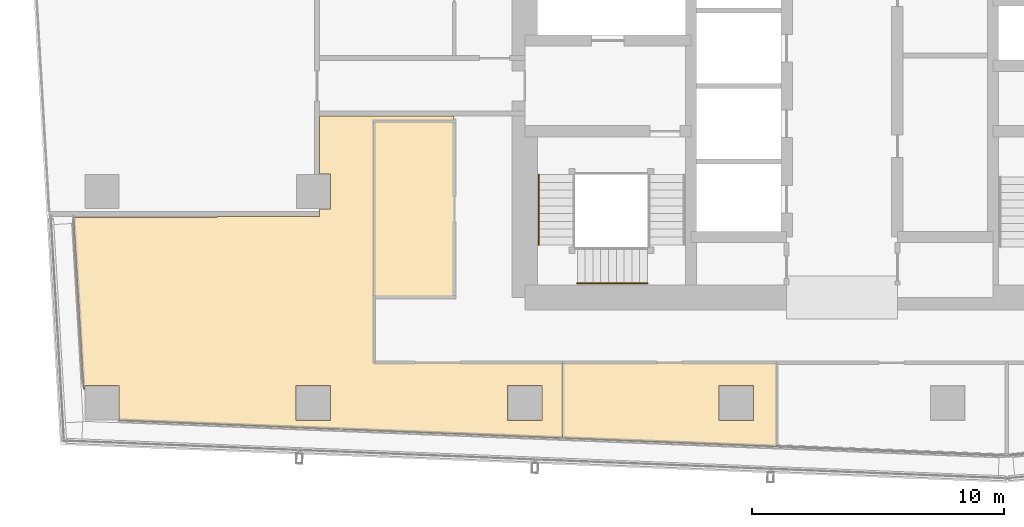
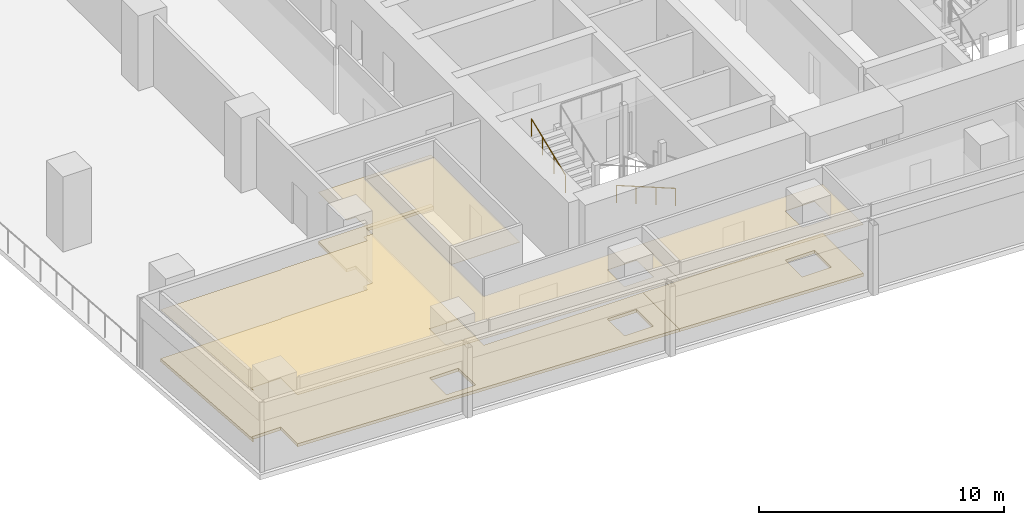
# One storey, part 28 of 35: 5 coverings, 2 railings.
"""IFC4 building model written with IfcOpenShell, lengths in metres."""

import ifcopenshell
import ifcopenshell.guid

model = None  # the IFC model being written
_history = None  # IfcOwnerHistory: only IFC2X3 demands one
_inside = {}  # id of a spatial element -> (the spatial element, [elements in it])
_under = {}  # id of a project, library or spatial element -> (it, [spatial elements below it])
_declared = {}  # id of a project -> (the project, [libraries it declares])
_typed = {}  # id of a type object -> (the type object, [elements of that type])
_made_of = {}  # id of a material, layer set ... -> (it, [elements and type objects made of it])


def new_model(schema):
    """Start an empty IFC model of exactly this schema.

    Asked for "IFC4X3", IfcOpenShell would pick the latest addendum, in which some entities
    have other attributes; the version numbers below select the first issue.
    IFC2X3 requires an IfcOwnerHistory on every rooted entity: one is made here for all.
    """
    global model, _history
    if schema == "IFC4X3":
        model = ifcopenshell.file(schema_version=(4, 3, 0, 0))
    else:
        model = ifcopenshell.file(schema=schema)
    _inside.clear()
    _under.clear()
    _declared.clear()
    _typed.clear()
    _made_of.clear()
    _history = None
    if model.schema == "IFC2X3":
        org = make("IfcOrganization", Name="unknown")
        user = make(
            "IfcPersonAndOrganization",
            ThePerson=make("IfcPerson", FamilyName="unknown"),
            TheOrganization=org,
        )
        app = make(
            "IfcApplication",
            ApplicationDeveloper=org,
            Version="unknown",
            ApplicationFullName="unknown",
            ApplicationIdentifier="unknown",
        )
        _history = make(
            "IfcOwnerHistory",
            OwningUser=user,
            OwningApplication=app,
            ChangeAction="ADDED",
            CreationDate=0,
        )
    return model


def make(cls, **values):
    """One entity of the class cls with the attributes given. An attribute that is None is left unset."""
    return model.create_entity(
        cls, **{name: value for name, value in values.items() if value is not None}
    )


def rooted(cls, **values):
    """An entity with a GlobalId (a new one), such as an element, a storey or a relation."""
    return make(cls, GlobalId=ifcopenshell.guid.new(), OwnerHistory=_history, **values)


def si_unit(unit_type, name, prefix=None):
    """IfcSIUnit, for example si_unit("LENGTHUNIT", "METRE", prefix="MILLI")."""
    return make("IfcSIUnit", UnitType=unit_type, Prefix=prefix, Name=name)


def assignment(units):
    """IfcUnitAssignment: the units of a project."""
    return None if units is None else make("IfcUnitAssignment", Units=units)


def point(xyz):
    """IfcCartesianPoint."""
    return None if xyz is None else make("IfcCartesianPoint", Coordinates=xyz)


def direction(xyz):
    """IfcDirection."""
    return None if xyz is None else make("IfcDirection", DirectionRatios=xyz)


def frame(location, z_axis=None, x_axis=None):
    """IfcAxis2Placement3D, a coordinate frame: its origin and axes. An axis left out is left unset."""
    return make(
        "IfcAxis2Placement3D",
        Location=point(location),
        Axis=direction(z_axis),
        RefDirection=direction(x_axis),
    )


def frame_2d(location, x_axis=None):
    """IfcAxis2Placement2D, a coordinate frame in the plane: its origin and x axis."""
    return make(
        "IfcAxis2Placement2D", Location=point(location), RefDirection=direction(x_axis)
    )


def origin():
    """The frame at (0, 0, 0) with its axes left unset."""
    return frame((0.0, 0.0, 0.0))


def origin_2d():
    """The frame at (0, 0) in the plane with its x axis left unset."""
    return frame_2d((0.0, 0.0))


def place(relative_to, where):
    """IfcLocalPlacement: puts the frame where relative to a parent placement (None: the world)."""
    return make(
        "IfcLocalPlacement", PlacementRelTo=relative_to, RelativePlacement=where
    )


def context(
    kind, dimensions, precision=None, world=None, true_north=None, identifier=None
):
    """IfcGeometricRepresentationContext, for example the 3D "Model" context."""
    return make(
        "IfcGeometricRepresentationContext",
        ContextIdentifier=identifier,
        ContextType=kind,
        CoordinateSpaceDimension=dimensions,
        Precision=precision,
        WorldCoordinateSystem=world,
        TrueNorth=true_north,
    )


def subcontext(parent, identifier, kind, view, scale=None):
    """IfcGeometricRepresentationSubContext, for example "Body" below "Model"."""
    return make(
        "IfcGeometricRepresentationSubContext",
        ContextIdentifier=identifier,
        ContextType=kind,
        ParentContext=parent,
        TargetScale=scale,
        TargetView=view,
    )


def project(units=None, contexts=None):
    """IfcProject with its units and contexts."""
    return rooted(
        "IfcProject",
        Name="project",
        RepresentationContexts=contexts,
        UnitsInContext=assignment(units),
    )


def spatial(cls, under=None, at=None, **own):
    """A site, building, storey or space (cls), placed at a placement, below another one or the project."""
    s = rooted(cls, ObjectPlacement=at, **own)
    if under is not None:
        _under.setdefault(under.id(), (under, []))[1].append(s)
    return s


def polyline(points):
    """IfcPolyline through the points."""
    return make("IfcPolyline", Points=[point(p) for p in points])


def profile(cls, at=None, kind="AREA", **sizes):
    """A parametric profile (cls). Its sizes go by their IFC names, for example OverallWidth=200.0."""
    return make(cls, ProfileType=kind, Position=at, **sizes)


def circle(**sizes):
    """IfcCircleProfileDef."""
    return profile("IfcCircleProfileDef", **sizes)


def outline(outer, holes=None, kind="AREA"):
    """IfcArbitraryClosedProfileDef: a profile drawn as a closed curve; with holes, ...WithVoids."""
    if holes is None:
        return make("IfcArbitraryClosedProfileDef", ProfileType=kind, OuterCurve=outer)
    return make(
        "IfcArbitraryProfileDefWithVoids",
        ProfileType=kind,
        OuterCurve=outer,
        InnerCurves=holes,
    )


def extrude(swept, where, along, depth):
    """IfcExtrudedAreaSolid: the profile swept, set in the frame where, extruded along a direction by depth."""
    return make(
        "IfcExtrudedAreaSolid",
        SweptArea=swept,
        Position=where,
        ExtrudedDirection=direction(along),
        Depth=depth,
    )


def shape(context_of_items, identifier, shape_type, items):
    """IfcShapeRepresentation: the items that make up one representation, for example the "Body"."""
    return make(
        "IfcShapeRepresentation",
        ContextOfItems=context_of_items,
        RepresentationIdentifier=identifier,
        RepresentationType=shape_type,
        Items=items,
    )


def material(Name=None, Category=None):
    """IfcMaterial."""
    return make("IfcMaterial", Name=Name, Category=Category)


def layer(
    of_material, thickness, ventilated=None, Name=None, Category=None, Priority=None
):
    """IfcMaterialLayer: one layer of a wall or slab, of a material (None: an air gap)."""
    return make(
        "IfcMaterialLayer",
        Material=of_material,
        LayerThickness=thickness,
        IsVentilated=ventilated,
        Name=Name,
        Category=Category,
        Priority=Priority,
    )


def layer_set(layers, Name=None):
    """IfcMaterialLayerSet."""
    return make("IfcMaterialLayerSet", MaterialLayers=layers, LayerSetName=Name)


def made_of(thing, what):
    """Note that an element or type object is made of a material, layer set ...; save() writes the relation."""
    if what is not None:
        _made_of.setdefault(what.id(), (what, []))[1].append(thing)
    return thing


def type_object(cls, material=None, **own):
    """A type object (cls), such as IfcWallType, which elements share."""
    return made_of(rooted(cls, **own), material)


def element(
    cls,
    number,
    at=None,
    inside=None,
    cuts=None,
    type_object=None,
    material=None,
    context=None,
    identifier="Body",
    shape_type=None,
    held_by="IfcProductDefinitionShape",
    body=None,
    shapes=None,
    **own,
):
    """One element of the class cls, such as IfcWall. Its Tag is "e" and its number.

    at: its placement. inside: the storey or other place that contains it. cuts: it is an
    opening in that element (IfcRelVoidsElement). A single representation is given by context,
    identifier, shape_type and body (its items); several are given by shapes. held_by: the class
    of the entity that holds the representations. save() writes the other relations.
    """
    e = rooted(cls, Tag="e%d" % number, ObjectPlacement=at, **own)
    if body is not None:
        shapes = [shape(context, identifier, shape_type, body)]
    if shapes is not None:
        e.Representation = make(held_by, Representations=shapes)
    if inside is not None:
        _inside.setdefault(inside.id(), (inside, []))[1].append(e)
    if cuts is not None:
        rooted(
            "IfcRelVoidsElement", RelatingBuildingElement=cuts, RelatedOpeningElement=e
        )
    if type_object is not None:
        _typed.setdefault(type_object.id(), (type_object, []))[1].append(e)
    return made_of(e, material)


def aggregate(whole, parts):
    """IfcRelAggregates: a whole, such as a stair, and the parts it consists of."""
    return rooted("IfcRelAggregates", RelatingObject=whole, RelatedObjects=parts)


def save(model, path):
    """Write the relations noted so far, then the file.

    IfcRelAggregates (storeys below a building ...), IfcRelContainedInSpatialStructure (elements
    in a storey), IfcRelDefinesByType, IfcRelAssociatesMaterial and IfcRelDeclares: one each for
    every whole, place, type object, material and project.
    """
    for whole, parts in _under.values():
        aggregate(whole, parts)
    for where, things in _inside.values():
        rooted(
            "IfcRelContainedInSpatialStructure",
            RelatedElements=things,
            RelatingStructure=where,
        )
    for kind, things in _typed.values():
        rooted("IfcRelDefinesByType", RelatedObjects=things, RelatingType=kind)
    for what, things in _made_of.values():
        rooted("IfcRelAssociatesMaterial", RelatedObjects=things, RelatingMaterial=what)
    for by, libraries in _declared.values():
        rooted("IfcRelDeclares", RelatingContext=by, RelatedDefinitions=libraries)
    model.write(path)


model = new_model("IFC4")

# Units and contexts
model_context = context("Model", 3, precision=1e-05, world=origin(), true_north=direction((0.0, 1.0)))
body_context = subcontext(model_context, "Body", "Model", "MODEL_VIEW")
ifc_project = project(units=[si_unit("LENGTHUNIT", "METRE"), si_unit("AREAUNIT", "SQUARE_METRE"), si_unit("VOLUMEUNIT", "CUBIC_METRE"), si_unit("PLANEANGLEUNIT", "RADIAN"), si_unit("MASSUNIT", "GRAM", prefix="KILO")], contexts=[model_context])

# Site, building, storey
site_placement = place(None, origin())
site = spatial("IfcSite", under=ifc_project, at=site_placement, CompositionType="ELEMENT")
building_placement = place(site_placement, origin())
building = spatial("IfcBuilding", under=site, at=building_placement, Name="Rekha Terrace Tower", CompositionType="ELEMENT")
storey_placement = place(building_placement, frame((0.0, 0.0, 191.449951171875)))
storey = spatial("IfcBuildingStorey", under=building, at=storey_placement, Name="L48", CompositionType="ELEMENT", Elevation=191.449951171875)

# Coverings
ifc_material_1 = material(Name="Mineral fibre tile in exposed grid", Category="finish")
ifc_layer_1 = layer(ifc_material_1, 0.02001953125)
ifc_layer_set_1 = layer_set([ifc_layer_1], Name="Mineral fibre tile in exposed grid")
covering_type_1 = type_object("IfcCoveringType", Name="CL1 600x1200 office grid ceiling", PredefinedType="CEILING", material=ifc_layer_set_1)
covering_1_placement = place(storey_placement, frame((0.0, 0.0, 2.580078125)))
element("IfcCovering", 1, at=covering_1_placement, inside=storey, type_object=covering_type_1, Name="Ceiling L48-O1c", PredefinedType="CEILING", context=body_context, shape_type="SweptSolid", body=[
    extrude(outline(polyline([(26.7041015625, 15.4150390625), (35.198974609375, 15.075927734375), (35.198974609375, 18.39990234375), (26.7041015625, 18.39990234375), (26.7041015625, 15.4150390625)]), holes=[polyline([(34.2900390625, 16.110107421875), (32.909912109375, 16.110107421875), (32.909912109375, 17.489990234375), (34.2900390625, 17.489990234375), (34.2900390625, 16.110107421875)])]), origin(), (0.0, 0.0, 1.0), 0.02001953125),
])
covering_2_placement = place(storey_placement, frame((0.0, 0.0, 2.580078125)))
element("IfcCovering", 2, at=covering_2_placement, inside=storey, type_object=covering_type_1, Name="Ceiling L48-13", PredefinedType="CEILING", context=body_context, shape_type="SweptSolid", body=[
    extrude(outline(polyline([(17.489990234375, 24.510009765625), (17.051025390625, 24.510009765625), (17.051025390625, 24.2109375), (12.97998046875, 24.2109375), (12.97998046875, 24.178955078125), (7.281005859375, 24.178955078125), (7.68408203125, 17.320068359375), (7.7099609375, 17.321044921875), (7.7099609375, 17.489990234375), (9.090087890625, 17.489990234375), (9.090087890625, 16.117919921875), (17.89990234375, 15.76611328125), (26.702880859375, 15.4150390625), (26.702880859375, 18.39990234375), (19.199951171875, 18.39990234375), (19.199951171875, 28.0), (22.375, 28.0), (22.375, 28.198974609375), (17.051025390625, 28.198974609375), (17.051025390625, 25.889892578125), (17.489990234375, 25.889892578125), (17.489990234375, 24.510009765625)]), holes=[polyline([(25.889892578125, 17.489990234375), (25.889892578125, 16.110107421875), (24.510009765625, 16.110107421875), (24.510009765625, 17.489990234375), (25.889892578125, 17.489990234375)]), polyline([(17.489990234375, 17.489990234375), (17.489990234375, 16.110107421875), (16.110107421875, 16.110107421875), (16.110107421875, 17.489990234375), (17.489990234375, 17.489990234375)])]), origin(), (0.0, 0.0, 1.0), 0.02001953125),
])
ifc_material_2 = material(Name="Fibre cement board", Category="finish")
ifc_layer_2 = layer(ifc_material_2, 0.014892578125)
ifc_layer_set_2 = layer_set([ifc_layer_2], Name="Fibre cement board")
covering_type_2 = type_object("IfcCoveringType", Name="CL2 moisture-resistant board ceiling", PredefinedType="CEILING", material=ifc_layer_set_2)
covering_3_placement = place(storey_placement, frame((0.0, 0.0, 2.5849609375)))
element("IfcCovering", 3, at=covering_3_placement, inside=storey, type_object=covering_type_2, Name="Ceiling L48-WCM", PredefinedType="CEILING", context=body_context, shape_type="SweptSolid", body=[
    extrude(outline(polyline([(22.39990234375, 28.0), (19.199951171875, 28.0), (19.199951171875, 21.0), (22.39990234375, 21.0), (22.39990234375, 28.0)])), origin(), (0.0, 0.0, 1.0), 0.01513671875),
])

# Railings
ifc_material_3 = material(Name="Stainless steel tube", Category="steel")
railing_type = type_object("IfcRailingType", Name="HR1 900 stair handrail", PredefinedType="HANDRAIL", material=ifc_material_3)
railing_1_placement = place(storey_placement, frame((30.074951171875, 21.56005859375, 1.375)))
element("IfcRailing", 4, at=railing_1_placement, inside=storey, type_object=railing_type, Name="Handrail ST1 L48 flight 2", PredefinedType="HANDRAIL", context=body_context, shape_type="SweptSolid", body=[
    extrude(circle(Radius=0.02392578125, at=origin_2d()), frame((0.0, 0.0, 0.8759765625), z_axis=(-0.927443287984, 0.0, 0.373963831907), x_axis=(0.0, -1.0, 0.0)), (0.0, 0.0, 1.0), 3.00830078125),
    extrude(circle(Radius=0.02099609375, at=origin_2d()), origin(), (0.0, 0.0, 1.0), 0.851806640625),
    extrude(circle(Radius=0.02099609375, at=origin_2d()), frame((-0.929931640625, 0.0, 0.375)), (0.0, 0.0, 1.0), 0.851806640625),
    extrude(circle(Radius=0.02099609375, at=origin_2d()), frame((-1.860107421875, 0.0, 0.75)), (0.0, 0.0, 1.0), 0.851806640625),
    extrude(circle(Radius=0.02099609375, at=origin_2d()), frame((-2.7900390625, 0.0, 1.125)), (0.0, 0.0, 1.0), 0.851806640625),
])
railing_2_placement = place(storey_placement, frame((25.760009765625, 23.0849609375, 2.625)))
element("IfcRailing", 5, at=railing_2_placement, inside=storey, type_object=railing_type, Name="Handrail ST1 L48 flight 3", PredefinedType="HANDRAIL", context=body_context, shape_type="SweptSolid", body=[
    extrude(circle(Radius=0.02392578125, at=origin_2d()), frame((0.0, 0.0, 0.8759765625), z_axis=(0.0, 0.927443287984, 0.373963831907), x_axis=(-1.0, 0.0, 0.0)), (0.0, 0.0, 1.0), 3.00830078125),
    extrude(circle(Radius=0.02099609375, at=origin_2d()), origin(), (0.0, 0.0, 1.0), 0.851806640625),
    extrude(circle(Radius=0.02099609375, at=origin_2d()), frame((0.0, 0.929931640625, 0.375)), (0.0, 0.0, 1.0), 0.851806640625),
    extrude(circle(Radius=0.02099609375, at=origin_2d()), frame((0.0, 1.860107421875, 0.75)), (0.0, 0.0, 1.0), 0.851806640625),
    extrude(circle(Radius=0.02099609375, at=origin_2d()), frame((0.0, 2.7900390625, 1.125)), (0.0, 0.0, 1.0), 0.851806640625),
])

# Coverings
ifc_material_4 = material(Name="Calcium sulphate panels on steel pedestals", Category="steel")
ifc_layer_3 = layer(ifc_material_4, 0.14990234375)
ifc_layer_set_3 = layer_set([ifc_layer_3], Name="Calcium sulphate panels on steel pedestals")
covering_type_3 = type_object("IfcCoveringType", Name="RF1 150 raised access floor", PredefinedType="FLOORING", material=ifc_layer_set_3)
covering_4_placement = place(storey_placement, origin())
element("IfcCovering", 6, at=covering_4_placement, inside=storey, type_object=covering_type_3, Name="Raised floor L48-O1c", PredefinedType="FLOORING", context=body_context, shape_type="SweptSolid", body=[
    extrude(outline(polyline([(26.7041015625, 15.4150390625), (35.198974609375, 15.075927734375), (35.198974609375, 18.39990234375), (26.7041015625, 18.39990234375), (26.7041015625, 15.4150390625)]), holes=[polyline([(34.2900390625, 16.110107421875), (32.909912109375, 16.110107421875), (32.909912109375, 17.489990234375), (34.2900390625, 17.489990234375), (34.2900390625, 16.110107421875)])]), origin(), (0.0, 0.0, 1.0), 0.150146484375),
])
covering_5_placement = place(storey_placement, origin())
element("IfcCovering", 7, at=covering_5_placement, inside=storey, type_object=covering_type_3, Name="Raised floor L48-13", PredefinedType="FLOORING", context=body_context, shape_type="SweptSolid", body=[
    extrude(outline(polyline([(17.489990234375, 24.510009765625), (17.051025390625, 24.510009765625), (17.051025390625, 24.2109375), (12.97998046875, 24.2109375), (12.97998046875, 24.178955078125), (7.281005859375, 24.178955078125), (7.68408203125, 17.320068359375), (7.7099609375, 17.321044921875), (7.7099609375, 17.489990234375), (9.090087890625, 17.489990234375), (9.090087890625, 16.117919921875), (17.89990234375, 15.76611328125), (26.702880859375, 15.4150390625), (26.702880859375, 18.39990234375), (19.199951171875, 18.39990234375), (19.199951171875, 28.0), (22.375, 28.0), (22.375, 28.198974609375), (17.051025390625, 28.198974609375), (17.051025390625, 25.889892578125), (17.489990234375, 25.889892578125), (17.489990234375, 24.510009765625)]), holes=[polyline([(25.889892578125, 17.489990234375), (25.889892578125, 16.110107421875), (24.510009765625, 16.110107421875), (24.510009765625, 17.489990234375), (25.889892578125, 17.489990234375)]), polyline([(17.489990234375, 17.489990234375), (17.489990234375, 16.110107421875), (16.110107421875, 16.110107421875), (16.110107421875, 17.489990234375), (17.489990234375, 17.489990234375)])]), origin(), (0.0, 0.0, 1.0), 0.150146484375),
])

save(model, "model.ifc")
